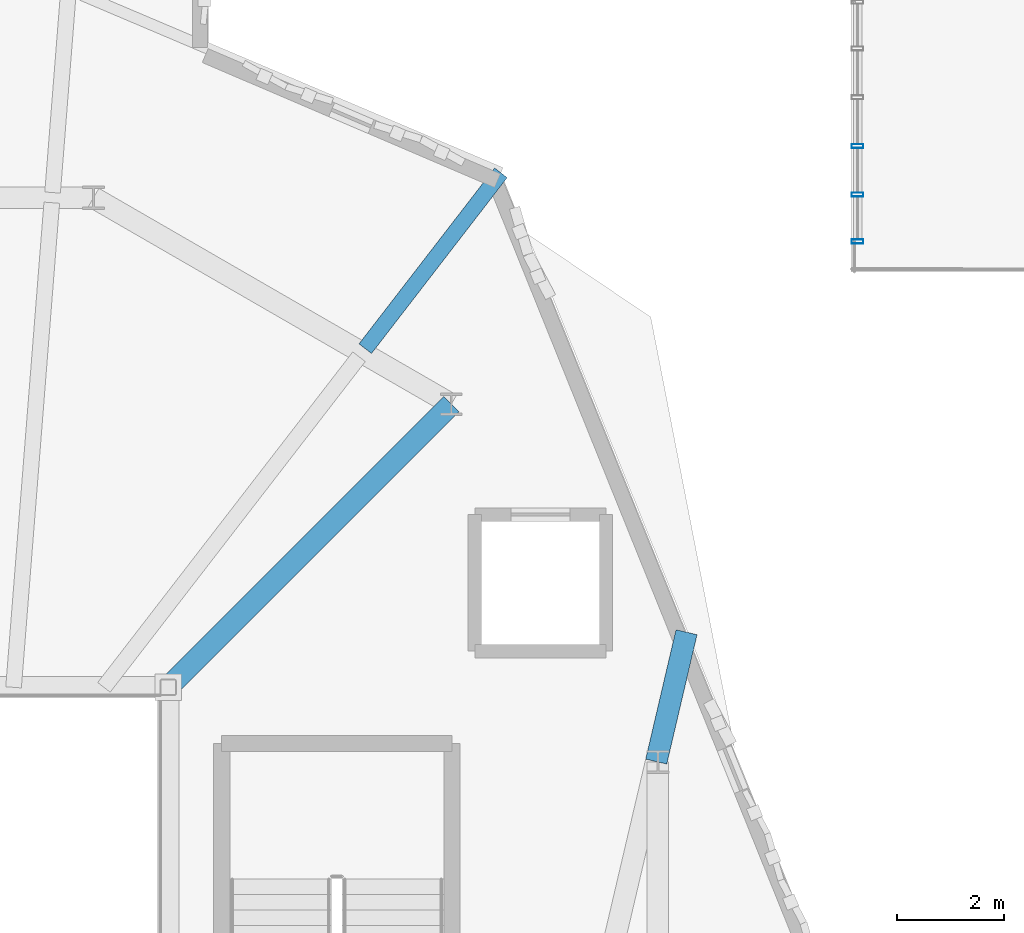
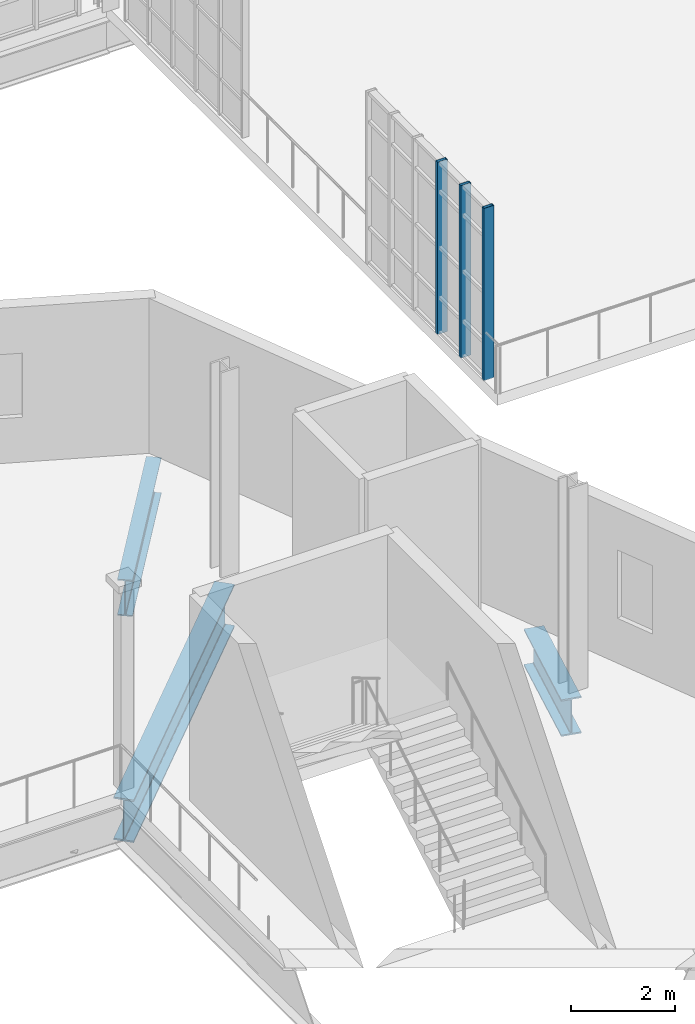
# One storey, part 31 of 122: 3 beams, 3 members, 1 element without a shape of its own.
"""IFC4 building model written with IfcOpenShell, lengths in metres."""

from ifc_helpers import new_model, si_unit, direction, frame, origin, origin_2d, place, context, subcontext, project, spatial, hollow_rectangle, i_section, extrude, material, layer, layer_set, material_profile, profile_set, type_object, element, aggregate, save


model = new_model("IFC4")

# Units and contexts
model_context = context("Model", 3, precision=1e-05, world=origin(), true_north=direction((0.0, 1.0)))
body_context = subcontext(model_context, "Body", "Model", "MODEL_VIEW")
ifc_project = project(units=[si_unit("LENGTHUNIT", "METRE"), si_unit("AREAUNIT", "SQUARE_METRE"), si_unit("VOLUMEUNIT", "CUBIC_METRE"), si_unit("PLANEANGLEUNIT", "RADIAN"), si_unit("MASSUNIT", "GRAM", prefix="KILO"), si_unit("THERMODYNAMICTEMPERATUREUNIT", "KELVIN"), si_unit("POWERUNIT", "WATT")], contexts=[model_context])

# Site, building, storey
site_placement = place(None, origin())
site = spatial("IfcSite", under=ifc_project, at=site_placement, CompositionType="ELEMENT")
building_placement = place(site_placement, origin())
building = spatial("IfcBuilding", under=site, at=building_placement, Name="Zelmaris Science Centre", CompositionType="ELEMENT")
storey_placement = place(building_placement, frame((0.0, 0.0, 10.800048828125)))
storey = spatial("IfcBuildingStorey", under=building, at=storey_placement, Name="L02", CompositionType="ELEMENT", Elevation=10.800048828125)

# Curtain wall, members
ifc_material_1 = material(Name="Anodised architectural aluminium 6063-T6", Category="aluminium")
ifc_layer = layer(ifc_material_1, 0.199951171875, Name="Anodised architectural aluminium 6063-T6")
ifc_layer_set = layer_set([ifc_layer], Name="Anodised architectural aluminium 6063-T6")
curtain_wall_type = type_object("IfcCurtainWallType", Name="Curtain Wall CW-02", PredefinedType="USERDEFINED", material=ifc_layer_set)
curtain_wall_placement = place(storey_placement, origin())
curtain_wall = element("IfcCurtainWall", 1, at=curtain_wall_placement, inside=storey, type_object=curtain_wall_type, Name="L02 Unitised curtain wall 270", ObjectType="GLAZED CURTAIN WALL", PredefinedType="USERDEFINED")
ifc_material_profile_1 = material_profile(ifc_material_1, hollow_rectangle(XDim=0.074951171875, YDim=0.219970703125, WallThickness=0.0048828125, at=origin_2d()), Name="ALU-MUL-75X220")
ifc_profile_set_1 = profile_set([ifc_material_profile_1], Name="Anodised architectural aluminium 6063-T6")
member_type = type_object("IfcMemberType", Name="ALU-MUL-75X220", PredefinedType="MULLION", material=ifc_profile_set_1)
member_1_placement = place(storey_placement, frame((99.1201171875, 49.573486328125, -0.01513671875), z_axis=(0.0, 0.0, 1.0), x_axis=(-5.235988e-06, 0.999999999986, 0.0)))
member_1 = element("IfcMember", 2, at=member_1_placement, type_object=member_type, Name="CW-02 mullion 1", PredefinedType="MULLION", context=body_context, shape_type="SweptSolid", body=[
    extrude(hollow_rectangle(XDim=0.074951171875, YDim=0.219970703125, WallThickness=0.0048828125, at=origin_2d()), origin(), (0.0, 0.0, 1.0), 4.03515625),
])
member_2_placement = place(storey_placement, frame((99.1201171875, 50.447998046875, -0.01513671875), z_axis=(0.0, 0.0, 1.0), x_axis=(-5.235988e-06, 0.999999999986, 0.0)))
member_2 = element("IfcMember", 3, at=member_2_placement, type_object=member_type, Name="CW-02 mullion 2", PredefinedType="MULLION", context=body_context, shape_type="SweptSolid", body=[
    extrude(hollow_rectangle(XDim=0.074951171875, YDim=0.219970703125, WallThickness=0.0048828125, at=origin_2d()), origin(), (0.0, 0.0, 1.0), 4.03515625),
])
member_3_placement = place(storey_placement, frame((99.1201171875, 51.35595703125, -0.01513671875), z_axis=(0.0, 0.0, 1.0), x_axis=(-5.235988e-06, 0.999999999986, 0.0)))
member_3 = element("IfcMember", 4, at=member_3_placement, type_object=member_type, Name="CW-02 mullion 3", PredefinedType="MULLION", context=body_context, shape_type="SweptSolid", body=[
    extrude(hollow_rectangle(XDim=0.074951171875, YDim=0.219970703125, WallThickness=0.0048828125, at=origin_2d()), origin(), (0.0, 0.0, 1.0), 4.03515625),
])
aggregate(curtain_wall, [member_1, member_2, member_3])

# Beams
ifc_material_2 = material(Name="Steel ASTM A992 Grade 50", Category="steel")
ifc_material_profile_2 = material_profile(ifc_material_2, i_section(OverallWidth=0.294921875, OverallDepth=0.85107421875, WebThickness=0.01611328125, FlangeThickness=0.02685546875, FilletRadius=0.02001953125, at=origin_2d()), Name="W33X152")
ifc_profile_set_2 = profile_set([ifc_material_profile_2], Name="Steel ASTM A992 Grade 50")
beam_type_1 = type_object("IfcBeamType", Name="Beam G-06 W33X152", PredefinedType="BEAM", material=ifc_profile_set_2)
beam_1_placement = place(storey_placement, frame((89.92919921875, 47.572265625, -0.7255859375), z_axis=(0.610870942622, 0.791730188549, 0.0), x_axis=(-0.791730188549, 0.610870942622, 0.0)))
element("IfcBeam", 5, at=beam_1_placement, inside=storey, type_object=beam_type_1, Name="L02 Radial overhang girder 6", PredefinedType="BEAM", context=body_context, shape_type="SweptSolid", body=[
    extrude(i_section(OverallWidth=0.294921875, OverallDepth=0.85107421875, WebThickness=0.01611328125, FlangeThickness=0.02685546875, FilletRadius=0.02001953125, at=origin_2d()), origin(), (0.0, 0.0, 1.0), 4.14697265625),
])
ifc_material_profile_3 = material_profile(ifc_material_2, i_section(OverallWidth=0.40087890625, OverallDepth=1.0009765625, WebThickness=0.01904296875, FlangeThickness=0.0361328125, FilletRadius=0.02490234375, at=origin_2d()), Name="W40X249")
ifc_profile_set_3 = profile_set([ifc_material_profile_3], Name="Steel ASTM A992 Grade 50")
beam_type_2 = type_object("IfcBeamType", Name="Beam G-22 W40X249", PredefinedType="BEAM", material=ifc_profile_set_3)
beam_2_placement = place(storey_placement, frame((86.25, 41.25, -0.800537109375), z_axis=(0.707106781187, 0.707106781187, 0.0), x_axis=(-0.707106781187, 0.707106781187, 0.0)))
element("IfcBeam", 6, at=beam_2_placement, inside=storey, type_object=beam_type_2, Name="L02 Atrium diagonal header girder 3", PredefinedType="BEAM", context=body_context, shape_type="SweptSolid", body=[
    extrude(i_section(OverallWidth=0.40087890625, OverallDepth=1.0009765625, WebThickness=0.01904296875, FlangeThickness=0.0361328125, FilletRadius=0.02490234375, at=origin_2d()), origin(), (0.0, 0.0, 1.0), 7.475341796875),
])
ifc_material_profile_4 = material_profile(ifc_material_2, i_section(OverallWidth=0.404052734375, OverallDepth=0.861083984375, WebThickness=0.019775390625, FlangeThickness=0.032470703125, FilletRadius=0.02001953125, at=origin_2d()), Name="W33X221")
ifc_profile_set_4 = profile_set([ifc_material_profile_4], Name="Steel ASTM A992 Grade 50")
beam_type_3 = type_object("IfcBeamType", Name="Beam G-28 W33X221", PredefinedType="BEAM", material=ifc_profile_set_4)
beam_3_placement = place(storey_placement, frame((95.36181640625, 39.863525390625, -0.73046875), z_axis=(0.228013495114, 0.973657971798, 0.0), x_axis=(-0.973657971798, 0.228013495114, 0.0)))
element("IfcBeam", 7, at=beam_3_placement, inside=storey, type_object=beam_type_3, Name="L02 Radial overhang girder 5", PredefinedType="BEAM", context=body_context, shape_type="SweptSolid", body=[
    extrude(i_section(OverallWidth=0.404052734375, OverallDepth=0.861083984375, WebThickness=0.019775390625, FlangeThickness=0.032470703125, FilletRadius=0.02001953125, at=origin_2d()), origin(), (0.0, 0.0, 1.0), 2.48095703125),
])

save(model, "model.ifc")
